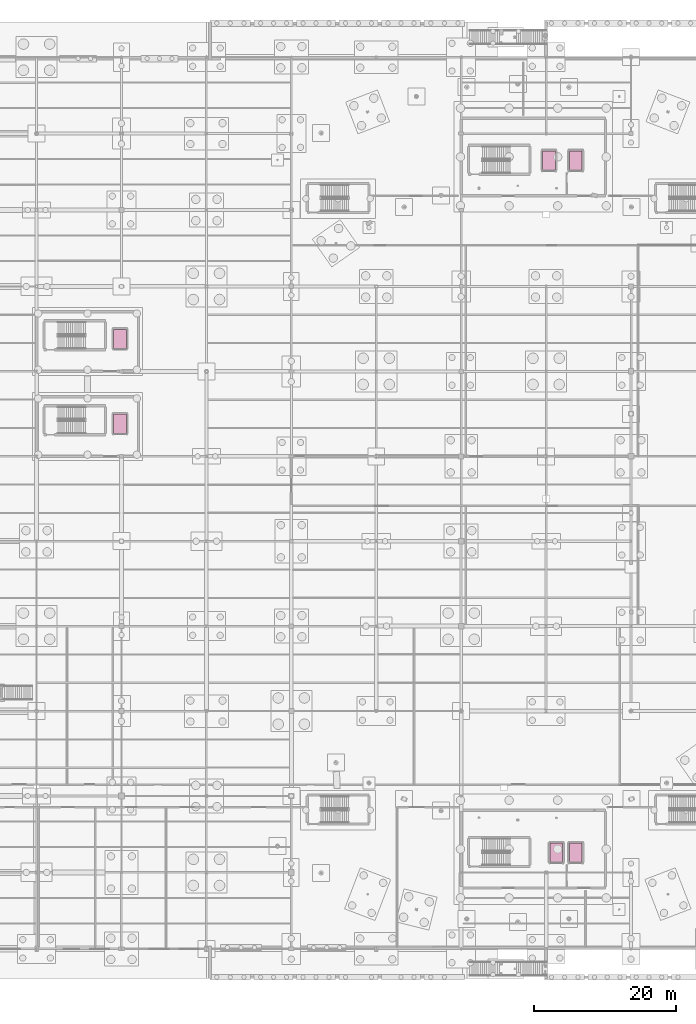
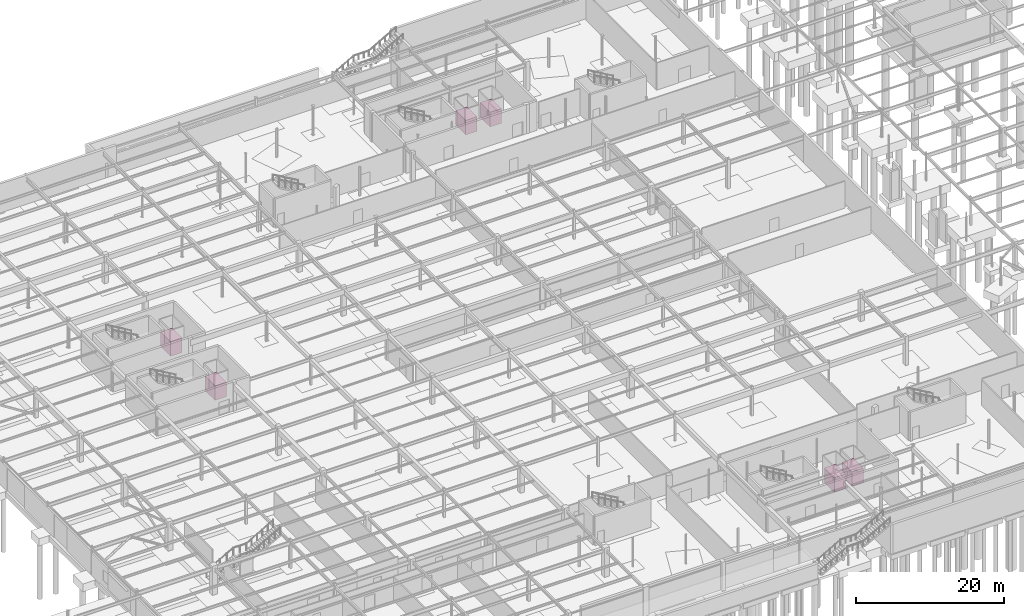
# One storey, part 136 of 136: 6 transport elements.
"""IFC4 building model written with IfcOpenShell, lengths in metres."""

from ifc_helpers import new_model, si_unit, direction, frame, origin, origin_2d, place, context, subcontext, project, spatial, rectangle, extrude, material, type_object, element, save


model = new_model("IFC4")

# Units and contexts
model_context = context("Model", 3, precision=1e-05, world=origin(), true_north=direction((0.0, 1.0)))
body_context = subcontext(model_context, "Body", "Model", "MODEL_VIEW")
ifc_project = project(units=[si_unit("LENGTHUNIT", "METRE"), si_unit("AREAUNIT", "SQUARE_METRE"), si_unit("VOLUMEUNIT", "CUBIC_METRE"), si_unit("PLANEANGLEUNIT", "RADIAN"), si_unit("MASSUNIT", "GRAM", prefix="KILO")], contexts=[model_context])

# Site, building, storey
site_placement = place(None, origin())
site = spatial("IfcSite", under=ifc_project, at=site_placement, CompositionType="ELEMENT")
building_placement = place(site_placement, origin())
building = spatial("IfcBuilding", under=site, at=building_placement, Name="Tarnwether General Hospital", CompositionType="ELEMENT")
storey_placement = place(building_placement, frame((0.0, 0.0, -4.800048828125)))
storey = spatial("IfcBuildingStorey", under=building, at=storey_placement, Name="LG", CompositionType="ELEMENT", Elevation=-4.800048828125)

# Transport elements
ifc_material_1 = material(Name="Anodised aluminium", Category="aluminium")
transport_element_type_1 = type_object("IfcTransportElementType", Name="LF-BED-CL", PredefinedType="ELEVATOR", material=ifc_material_1)
transport_element_placement = place(storey_placement, frame((100.199951171875, 13.60009765625, 0.0), z_axis=(0.0, 0.0, 1.0), x_axis=(1.0, 0.0, 0.0)))
element("IfcTransportElement", 1, at=transport_element_placement, inside=storey, type_object=transport_element_type_1, Name="Hospital Lift L-04", PredefinedType="ELEVATOR", context=body_context, shape_type="SweptSolid", body=[
    extrude(rectangle(XDim=1.800048828125, YDim=2.699951171875, at=origin_2d()), origin(), (0.0, 0.0, 1.0), 2.39990234375),
])
ifc_material_2 = material(Name="Anodised aluminium", Category="aluminium")
transport_element_type_2 = type_object("IfcTransportElementType", Name="LF-BED-FF", PredefinedType="ELEVATOR", material=ifc_material_2)
for number, where, z_axis, x_axis, name in (
    (2, (96.39990234375, 111.39990234375, 0.0), (0.0, 0.0, 1.0), (1.0, 0.0, 0.0), "Hospital Lift L-01"),
    (3, (97.449951171875, 13.60009765625, 0.0), (0.0, 0.0, 1.0), (1.0, 0.0, 0.0), "Hospital Lift L-02"),
    (4, (100.199951171875, 111.39990234375, 0.0), (0.0, 0.0, 1.0), (1.0, 0.0, 0.0), "Hospital Lift L-03"),
):
    element("IfcTransportElement", number, at=place(storey_placement, frame(where, z_axis=z_axis, x_axis=x_axis)), inside=storey, type_object=transport_element_type_2, Name=name, PredefinedType="ELEVATOR", context=body_context, shape_type="SweptSolid", body=[
        extrude(rectangle(XDim=1.800048828125, YDim=2.699951171875, at=origin_2d()), origin(), (0.0, 0.0, 1.0), 2.39990234375),
    ])
ifc_material_3 = material(Name="Anodised aluminium", Category="aluminium")
transport_element_type_3 = type_object("IfcTransportElementType", Name="LF-GDS-SV", PredefinedType="ELEVATOR", material=ifc_material_3)
for number, where, z_axis, x_axis, name in (
    (5, (35.800048828125, 74.199951171875, 0.0), (0.0, 0.0, 1.0), (1.0, 0.0, 0.0), "Hospital Lift L-07"),
    (6, (35.800048828125, 86.199951171875, 0.0), (0.0, 0.0, 1.0), (1.0, 0.0, 0.0), "Hospital Lift L-08"),
):
    element("IfcTransportElement", number, at=place(storey_placement, frame(where, z_axis=z_axis, x_axis=x_axis)), inside=storey, type_object=transport_element_type_3, Name=name, PredefinedType="ELEVATOR", context=body_context, shape_type="SweptSolid", body=[
        extrude(rectangle(XDim=1.800048828125, YDim=2.699951171875, at=origin_2d()), origin(), (0.0, 0.0, 1.0), 2.39990234375),
    ])

save(model, "model.ifc")
